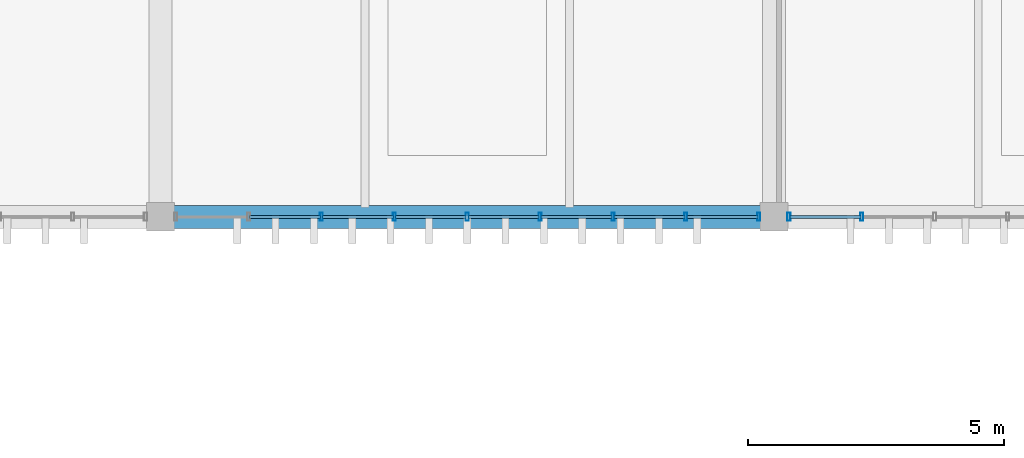
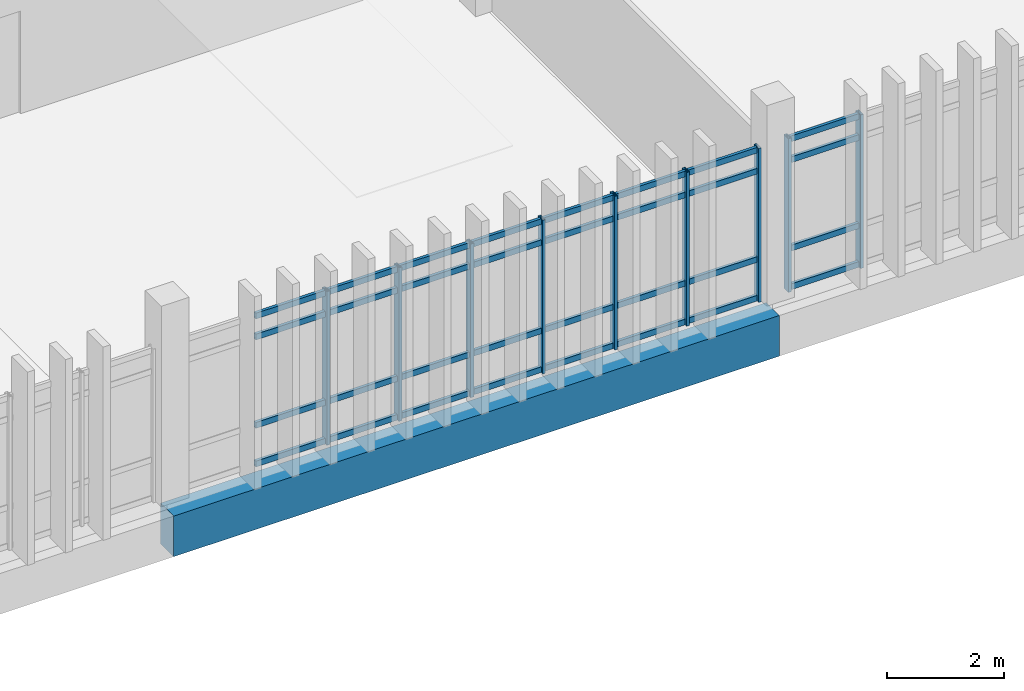
# One storey, part 3 of 29: 41 members, 1 beam, 2 elements without a shape of their own.
"""IFC4 building model written with IfcOpenShell, lengths in metres."""

import ifcopenshell
import ifcopenshell.guid

model = None  # the IFC model being written
_history = None  # IfcOwnerHistory: only IFC2X3 demands one
_inside = {}  # id of a spatial element -> (the spatial element, [elements in it])
_under = {}  # id of a project, library or spatial element -> (it, [spatial elements below it])
_declared = {}  # id of a project -> (the project, [libraries it declares])
_typed = {}  # id of a type object -> (the type object, [elements of that type])
_made_of = {}  # id of a material, layer set ... -> (it, [elements and type objects made of it])


def new_model(schema):
    """Start an empty IFC model of exactly this schema.

    Asked for "IFC4X3", IfcOpenShell would pick the latest addendum, in which some entities
    have other attributes; the version numbers below select the first issue.
    IFC2X3 requires an IfcOwnerHistory on every rooted entity: one is made here for all.
    """
    global model, _history
    if schema == "IFC4X3":
        model = ifcopenshell.file(schema_version=(4, 3, 0, 0))
    else:
        model = ifcopenshell.file(schema=schema)
    _inside.clear()
    _under.clear()
    _declared.clear()
    _typed.clear()
    _made_of.clear()
    _history = None
    if model.schema == "IFC2X3":
        org = make("IfcOrganization", Name="unknown")
        user = make(
            "IfcPersonAndOrganization",
            ThePerson=make("IfcPerson", FamilyName="unknown"),
            TheOrganization=org,
        )
        app = make(
            "IfcApplication",
            ApplicationDeveloper=org,
            Version="unknown",
            ApplicationFullName="unknown",
            ApplicationIdentifier="unknown",
        )
        _history = make(
            "IfcOwnerHistory",
            OwningUser=user,
            OwningApplication=app,
            ChangeAction="ADDED",
            CreationDate=0,
        )
    return model


def make(cls, **values):
    """One entity of the class cls with the attributes given. An attribute that is None is left unset."""
    return model.create_entity(
        cls, **{name: value for name, value in values.items() if value is not None}
    )


def rooted(cls, **values):
    """An entity with a GlobalId (a new one), such as an element, a storey or a relation."""
    return make(cls, GlobalId=ifcopenshell.guid.new(), OwnerHistory=_history, **values)


def si_unit(unit_type, name, prefix=None):
    """IfcSIUnit, for example si_unit("LENGTHUNIT", "METRE", prefix="MILLI")."""
    return make("IfcSIUnit", UnitType=unit_type, Prefix=prefix, Name=name)


def assignment(units):
    """IfcUnitAssignment: the units of a project."""
    return None if units is None else make("IfcUnitAssignment", Units=units)


def point(xyz):
    """IfcCartesianPoint."""
    return None if xyz is None else make("IfcCartesianPoint", Coordinates=xyz)


def direction(xyz):
    """IfcDirection."""
    return None if xyz is None else make("IfcDirection", DirectionRatios=xyz)


def frame(location, z_axis=None, x_axis=None):
    """IfcAxis2Placement3D, a coordinate frame: its origin and axes. An axis left out is left unset."""
    return make(
        "IfcAxis2Placement3D",
        Location=point(location),
        Axis=direction(z_axis),
        RefDirection=direction(x_axis),
    )


def frame_2d(location, x_axis=None):
    """IfcAxis2Placement2D, a coordinate frame in the plane: its origin and x axis."""
    return make(
        "IfcAxis2Placement2D", Location=point(location), RefDirection=direction(x_axis)
    )


def origin():
    """The frame at (0, 0, 0) with its axes left unset."""
    return frame((0.0, 0.0, 0.0))


def origin_2d():
    """The frame at (0, 0) in the plane with its x axis left unset."""
    return frame_2d((0.0, 0.0))


def place(relative_to, where):
    """IfcLocalPlacement: puts the frame where relative to a parent placement (None: the world)."""
    return make(
        "IfcLocalPlacement", PlacementRelTo=relative_to, RelativePlacement=where
    )


def context(
    kind, dimensions, precision=None, world=None, true_north=None, identifier=None
):
    """IfcGeometricRepresentationContext, for example the 3D "Model" context."""
    return make(
        "IfcGeometricRepresentationContext",
        ContextIdentifier=identifier,
        ContextType=kind,
        CoordinateSpaceDimension=dimensions,
        Precision=precision,
        WorldCoordinateSystem=world,
        TrueNorth=true_north,
    )


def subcontext(parent, identifier, kind, view, scale=None):
    """IfcGeometricRepresentationSubContext, for example "Body" below "Model"."""
    return make(
        "IfcGeometricRepresentationSubContext",
        ContextIdentifier=identifier,
        ContextType=kind,
        ParentContext=parent,
        TargetScale=scale,
        TargetView=view,
    )


def project(units=None, contexts=None):
    """IfcProject with its units and contexts."""
    return rooted(
        "IfcProject",
        Name="project",
        RepresentationContexts=contexts,
        UnitsInContext=assignment(units),
    )


def spatial(cls, under=None, at=None, **own):
    """A site, building, storey or space (cls), placed at a placement, below another one or the project."""
    s = rooted(cls, ObjectPlacement=at, **own)
    if under is not None:
        _under.setdefault(under.id(), (under, []))[1].append(s)
    return s


def profile(cls, at=None, kind="AREA", **sizes):
    """A parametric profile (cls). Its sizes go by their IFC names, for example OverallWidth=200.0."""
    return make(cls, ProfileType=kind, Position=at, **sizes)


def rectangle(**sizes):
    """IfcRectangleProfileDef."""
    return profile("IfcRectangleProfileDef", **sizes)


def hollow_rectangle(**sizes):
    """IfcRectangleHollowProfileDef."""
    return profile("IfcRectangleHollowProfileDef", **sizes)


def extrude(swept, where, along, depth):
    """IfcExtrudedAreaSolid: the profile swept, set in the frame where, extruded along a direction by depth."""
    return make(
        "IfcExtrudedAreaSolid",
        SweptArea=swept,
        Position=where,
        ExtrudedDirection=direction(along),
        Depth=depth,
    )


def shape(context_of_items, identifier, shape_type, items):
    """IfcShapeRepresentation: the items that make up one representation, for example the "Body"."""
    return make(
        "IfcShapeRepresentation",
        ContextOfItems=context_of_items,
        RepresentationIdentifier=identifier,
        RepresentationType=shape_type,
        Items=items,
    )


def material(Name=None, Category=None):
    """IfcMaterial."""
    return make("IfcMaterial", Name=Name, Category=Category)


def layer(
    of_material, thickness, ventilated=None, Name=None, Category=None, Priority=None
):
    """IfcMaterialLayer: one layer of a wall or slab, of a material (None: an air gap)."""
    return make(
        "IfcMaterialLayer",
        Material=of_material,
        LayerThickness=thickness,
        IsVentilated=ventilated,
        Name=Name,
        Category=Category,
        Priority=Priority,
    )


def layer_set(layers, Name=None):
    """IfcMaterialLayerSet."""
    return make("IfcMaterialLayerSet", MaterialLayers=layers, LayerSetName=Name)


def material_profile(
    of_material, cross_section, Name=None, Category=None, Priority=None
):
    """IfcMaterialProfile: a cross section and its material."""
    return make(
        "IfcMaterialProfile",
        Name=Name,
        Material=of_material,
        Profile=cross_section,
        Priority=Priority,
        Category=Category,
    )


def profile_set(profiles, Name=None, composite=None):
    """IfcMaterialProfileSet."""
    return make(
        "IfcMaterialProfileSet",
        Name=Name,
        MaterialProfiles=profiles,
        CompositeProfile=composite,
    )


def made_of(thing, what):
    """Note that an element or type object is made of a material, layer set ...; save() writes the relation."""
    if what is not None:
        _made_of.setdefault(what.id(), (what, []))[1].append(thing)
    return thing


def type_object(cls, material=None, **own):
    """A type object (cls), such as IfcWallType, which elements share."""
    return made_of(rooted(cls, **own), material)


def element(
    cls,
    number,
    at=None,
    inside=None,
    cuts=None,
    type_object=None,
    material=None,
    context=None,
    identifier="Body",
    shape_type=None,
    held_by="IfcProductDefinitionShape",
    body=None,
    shapes=None,
    **own,
):
    """One element of the class cls, such as IfcWall. Its Tag is "e" and its number.

    at: its placement. inside: the storey or other place that contains it. cuts: it is an
    opening in that element (IfcRelVoidsElement). A single representation is given by context,
    identifier, shape_type and body (its items); several are given by shapes. held_by: the class
    of the entity that holds the representations. save() writes the other relations.
    """
    e = rooted(cls, Tag="e%d" % number, ObjectPlacement=at, **own)
    if body is not None:
        shapes = [shape(context, identifier, shape_type, body)]
    if shapes is not None:
        e.Representation = make(held_by, Representations=shapes)
    if inside is not None:
        _inside.setdefault(inside.id(), (inside, []))[1].append(e)
    if cuts is not None:
        rooted(
            "IfcRelVoidsElement", RelatingBuildingElement=cuts, RelatedOpeningElement=e
        )
    if type_object is not None:
        _typed.setdefault(type_object.id(), (type_object, []))[1].append(e)
    return made_of(e, material)


def aggregate(whole, parts):
    """IfcRelAggregates: a whole, such as a stair, and the parts it consists of."""
    return rooted("IfcRelAggregates", RelatingObject=whole, RelatedObjects=parts)


def save(model, path):
    """Write the relations noted so far, then the file.

    IfcRelAggregates (storeys below a building ...), IfcRelContainedInSpatialStructure (elements
    in a storey), IfcRelDefinesByType, IfcRelAssociatesMaterial and IfcRelDeclares: one each for
    every whole, place, type object, material and project.
    """
    for whole, parts in _under.values():
        aggregate(whole, parts)
    for where, things in _inside.values():
        rooted(
            "IfcRelContainedInSpatialStructure",
            RelatedElements=things,
            RelatingStructure=where,
        )
    for kind, things in _typed.values():
        rooted("IfcRelDefinesByType", RelatedObjects=things, RelatingType=kind)
    for what, things in _made_of.values():
        rooted("IfcRelAssociatesMaterial", RelatedObjects=things, RelatingMaterial=what)
    for by, libraries in _declared.values():
        rooted("IfcRelDeclares", RelatingContext=by, RelatedDefinitions=libraries)
    model.write(path)


model = new_model("IFC4")

# Units and contexts
model_context = context("Model", 3, precision=1e-05, world=origin(), true_north=direction((0.0, 1.0)))
body_context = subcontext(model_context, "Body", "Model", "MODEL_VIEW")
ifc_project = project(units=[si_unit("LENGTHUNIT", "METRE"), si_unit("AREAUNIT", "SQUARE_METRE"), si_unit("VOLUMEUNIT", "CUBIC_METRE"), si_unit("PLANEANGLEUNIT", "RADIAN"), si_unit("MASSUNIT", "GRAM", prefix="KILO")], contexts=[model_context])

# Site, building, storey
site_placement = place(None, origin())
site = spatial("IfcSite", under=ifc_project, at=site_placement, CompositionType="ELEMENT")
building_placement = place(site_placement, origin())
building = spatial("IfcBuilding", under=site, at=building_placement, Name="Mersad Railyard Sports Hall", CompositionType="ELEMENT")
storey_placement = place(building_placement, frame((0.0, 0.0, 17.39990234375)))
storey = spatial("IfcBuildingStorey", under=building, at=storey_placement, Name="L04", CompositionType="ELEMENT", Elevation=17.39990234375)

# Curtain wall, members
ifc_material_1 = material(Name="Aluminium 6063-T6", Category="aluminium")
ifc_layer = layer(ifc_material_1, 0.159912109375)
ifc_layer_set = layer_set([ifc_layer], Name="Aluminium 6063-T6")
curtain_wall_type = type_object("IfcCurtainWallType", Name="ARC-CW-CW64", PredefinedType="USERDEFINED", material=ifc_layer_set)
curtain_wall_1_placement = place(storey_placement, origin())
curtain_wall_1 = element("IfcCurtainWall", 1, at=curtain_wall_1_placement, inside=storey, type_object=curtain_wall_type, Name="Curtain wall CW64-0166", ObjectType="CURTAIN WALL", PredefinedType="USERDEFINED")
ifc_material_profile_1 = material_profile(ifc_material_1, hollow_rectangle(XDim=0.06005859375, YDim=0.159912109375, WallThickness=0.00390625, at=origin_2d()), Name="AL MULLION 60x160x4")
ifc_profile_set_1 = profile_set([ifc_material_profile_1], Name="Aluminium 6063-T6")
member_type_1 = type_object("IfcMemberType", Name="ARC-CW-MUL01", PredefinedType="MULLION", material=ifc_profile_set_1)
member_1_placement = place(storey_placement, frame((78.705078125, 85.0, -0.02001953125), z_axis=(0.0, 0.0, 1.0), x_axis=(1.0, 0.0, 0.0)))
member_1 = element("IfcMember", 2, at=member_1_placement, type_object=member_type_1, Name="CW64 Mullion 1", PredefinedType="MULLION", context=body_context, shape_type="SweptSolid", body=[
    extrude(hollow_rectangle(XDim=0.06005859375, YDim=0.159912109375, WallThickness=0.00390625, at=origin_2d()), origin(), (0.0, 0.0, 1.0), 3.22021484375),
])
member_2_placement = place(storey_placement, frame((77.27880859375, 85.0, -0.02001953125), z_axis=(0.0, 0.0, 1.0), x_axis=(1.0, 0.0, 0.0)))
member_2 = element("IfcMember", 3, at=member_2_placement, type_object=member_type_1, Name="CW64 Mullion 2", PredefinedType="MULLION", context=body_context, shape_type="SweptSolid", body=[
    extrude(hollow_rectangle(XDim=0.06005859375, YDim=0.159912109375, WallThickness=0.00390625, at=origin_2d()), origin(), (0.0, 0.0, 1.0), 3.22021484375),
])
member_3_placement = place(storey_placement, frame((75.8525390625, 85.0, -0.02001953125), z_axis=(0.0, 0.0, 1.0), x_axis=(1.0, 0.0, 0.0)))
member_3 = element("IfcMember", 4, at=member_3_placement, type_object=member_type_1, Name="CW64 Mullion 3", PredefinedType="MULLION", context=body_context, shape_type="SweptSolid", body=[
    extrude(hollow_rectangle(XDim=0.06005859375, YDim=0.159912109375, WallThickness=0.00390625, at=origin_2d()), origin(), (0.0, 0.0, 1.0), 3.22021484375),
])
member_4_placement = place(storey_placement, frame((74.42626953125, 85.0, -0.02001953125), z_axis=(0.0, 0.0, 1.0), x_axis=(1.0, 0.0, 0.0)))
member_4 = element("IfcMember", 5, at=member_4_placement, type_object=member_type_1, Name="CW64 Mullion 4", PredefinedType="MULLION", context=body_context, shape_type="SweptSolid", body=[
    extrude(hollow_rectangle(XDim=0.06005859375, YDim=0.159912109375, WallThickness=0.00390625, at=origin_2d()), origin(), (0.0, 0.0, 1.0), 3.22021484375),
])
member_5_placement = place(storey_placement, frame((73.0, 85.0, -0.02001953125), z_axis=(0.0, 0.0, 1.0), x_axis=(1.0, 0.0, 0.0)))
member_5 = element("IfcMember", 6, at=member_5_placement, type_object=member_type_1, Name="CW64 Mullion 5", PredefinedType="MULLION", context=body_context, shape_type="SweptSolid", body=[
    extrude(hollow_rectangle(XDim=0.06005859375, YDim=0.159912109375, WallThickness=0.00390625, at=origin_2d()), origin(), (0.0, 0.0, 1.0), 3.22021484375),
])
member_6_placement = place(storey_placement, frame((71.57373046875, 85.0, -0.02001953125), z_axis=(0.0, 0.0, 1.0), x_axis=(1.0, 0.0, 0.0)))
member_6 = element("IfcMember", 7, at=member_6_placement, type_object=member_type_1, Name="CW64 Mullion 6", PredefinedType="MULLION", context=body_context, shape_type="SweptSolid", body=[
    extrude(hollow_rectangle(XDim=0.06005859375, YDim=0.159912109375, WallThickness=0.00390625, at=origin_2d()), origin(), (0.0, 0.0, 1.0), 3.22021484375),
])
member_7_placement = place(storey_placement, frame((70.1474609375, 85.0, -0.02001953125), z_axis=(0.0, 0.0, 1.0), x_axis=(1.0, 0.0, 0.0)))
member_7 = element("IfcMember", 8, at=member_7_placement, type_object=member_type_1, Name="CW64 Mullion 7", PredefinedType="MULLION", context=body_context, shape_type="SweptSolid", body=[
    extrude(hollow_rectangle(XDim=0.06005859375, YDim=0.159912109375, WallThickness=0.00390625, at=origin_2d()), origin(), (0.0, 0.0, 1.0), 3.22021484375),
])

curtain_wall_2_placement = place(storey_placement, origin())
curtain_wall_2 = element("IfcCurtainWall", 9, at=curtain_wall_2_placement, inside=storey, type_object=curtain_wall_type, Name="Curtain wall CW64-0167", ObjectType="CURTAIN WALL", PredefinedType="USERDEFINED")
member_8_placement = place(storey_placement, frame((80.72119140625, 85.0, -0.02001953125), z_axis=(0.0, 0.0, 1.0), x_axis=(1.0, 0.0, 0.0)))
member_8 = element("IfcMember", 10, at=member_8_placement, type_object=member_type_1, Name="CW64 Mullion 8", PredefinedType="MULLION", context=body_context, shape_type="SweptSolid", body=[
    extrude(hollow_rectangle(XDim=0.06005859375, YDim=0.159912109375, WallThickness=0.00390625, at=origin_2d()), origin(), (0.0, 0.0, 1.0), 3.22021484375),
])
member_9_placement = place(storey_placement, frame((79.294921875, 85.0, -0.02001953125), z_axis=(0.0, 0.0, 1.0), x_axis=(1.0, 0.0, 0.0)))
member_9 = element("IfcMember", 11, at=member_9_placement, type_object=member_type_1, Name="CW64 Mullion 9", PredefinedType="MULLION", context=body_context, shape_type="SweptSolid", body=[
    extrude(hollow_rectangle(XDim=0.06005859375, YDim=0.159912109375, WallThickness=0.00390625, at=origin_2d()), origin(), (0.0, 0.0, 1.0), 3.22021484375),
])

# Member
ifc_material_profile_2 = material_profile(ifc_material_1, hollow_rectangle(XDim=0.06005859375, YDim=0.1201171875, WallThickness=0.00390625, at=origin_2d()), Name="AL TRANSOM 60x120x4")
ifc_profile_set_2 = profile_set([ifc_material_profile_2], Name="Aluminium 6063-T6")
member_type_2 = type_object("IfcMemberType", Name="ARC-CW-TRN01", PredefinedType="USERDEFINED", material=ifc_profile_set_2)
member_10_placement = place(storey_placement, frame((78.68505859375, 85.0, 0.0400390625), z_axis=(-1.0, 0.0, 0.0), x_axis=(0.0, -1.0, 0.0)))
member_10 = element("IfcMember", 12, at=member_10_placement, type_object=member_type_2, Name="CW64 Transom 1-1", ObjectType="TRANSOM", PredefinedType="USERDEFINED", context=body_context, shape_type="SweptSolid", body=[
    extrude(hollow_rectangle(XDim=0.06005859375, YDim=0.1201171875, WallThickness=0.00390625, at=origin_2d()), origin(), (0.0, 0.0, 1.0), 1.38623046875),
])

member_11_placement = place(storey_placement, frame((77.2587890625, 85.0, 0.0400390625), z_axis=(-1.0, 0.0, 0.0), x_axis=(0.0, -1.0, 0.0)))
member_11 = element("IfcMember", 13, at=member_11_placement, type_object=member_type_2, Name="CW64 Transom 1-2", ObjectType="TRANSOM", PredefinedType="USERDEFINED", context=body_context, shape_type="SweptSolid", body=[
    extrude(hollow_rectangle(XDim=0.06005859375, YDim=0.1201171875, WallThickness=0.00390625, at=origin_2d()), origin(), (0.0, 0.0, 1.0), 1.38623046875),
])

member_12_placement = place(storey_placement, frame((75.83251953125, 85.0, 0.0400390625), z_axis=(-1.0, 0.0, 0.0), x_axis=(0.0, -1.0, 0.0)))
member_12 = element("IfcMember", 14, at=member_12_placement, type_object=member_type_2, Name="CW64 Transom 1-3", ObjectType="TRANSOM", PredefinedType="USERDEFINED", context=body_context, shape_type="SweptSolid", body=[
    extrude(hollow_rectangle(XDim=0.06005859375, YDim=0.1201171875, WallThickness=0.00390625, at=origin_2d()), origin(), (0.0, 0.0, 1.0), 1.38623046875),
])

member_13_placement = place(storey_placement, frame((74.40625, 85.0, 0.0400390625), z_axis=(-1.0, 0.0, 0.0), x_axis=(0.0, -1.0, 0.0)))
member_13 = element("IfcMember", 15, at=member_13_placement, type_object=member_type_2, Name="CW64 Transom 1-4", ObjectType="TRANSOM", PredefinedType="USERDEFINED", context=body_context, shape_type="SweptSolid", body=[
    extrude(hollow_rectangle(XDim=0.06005859375, YDim=0.1201171875, WallThickness=0.00390625, at=origin_2d()), origin(), (0.0, 0.0, 1.0), 1.38623046875),
])

member_14_placement = place(storey_placement, frame((72.97998046875, 85.0, 0.0400390625), z_axis=(-1.0, 0.0, 0.0), x_axis=(0.0, -1.0, 0.0)))
member_14 = element("IfcMember", 16, at=member_14_placement, type_object=member_type_2, Name="CW64 Transom 1-5", ObjectType="TRANSOM", PredefinedType="USERDEFINED", context=body_context, shape_type="SweptSolid", body=[
    extrude(hollow_rectangle(XDim=0.06005859375, YDim=0.1201171875, WallThickness=0.00390625, at=origin_2d()), origin(), (0.0, 0.0, 1.0), 1.38623046875),
])

member_15_placement = place(storey_placement, frame((71.5537109375, 85.0, 0.0400390625), z_axis=(-1.0, 0.0, 0.0), x_axis=(0.0, -1.0, 0.0)))
member_15 = element("IfcMember", 17, at=member_15_placement, type_object=member_type_2, Name="CW64 Transom 1-6", ObjectType="TRANSOM", PredefinedType="USERDEFINED", context=body_context, shape_type="SweptSolid", body=[
    extrude(hollow_rectangle(XDim=0.06005859375, YDim=0.1201171875, WallThickness=0.00390625, at=origin_2d()), origin(), (0.0, 0.0, 1.0), 1.38623046875),
])

member_16_placement = place(storey_placement, frame((70.12744140625, 85.0, 0.0400390625), z_axis=(-1.0, 0.0, 0.0), x_axis=(0.0, -1.0, 0.0)))
member_16 = element("IfcMember", 18, at=member_16_placement, type_object=member_type_2, Name="CW64 Transom 1-7", ObjectType="TRANSOM", PredefinedType="USERDEFINED", context=body_context, shape_type="SweptSolid", body=[
    extrude(hollow_rectangle(XDim=0.06005859375, YDim=0.1201171875, WallThickness=0.00390625, at=origin_2d()), origin(), (0.0, 0.0, 1.0), 1.38623046875),
])

member_17_placement = place(storey_placement, frame((78.68505859375, 85.0, 0.85009765625), z_axis=(-1.0, 0.0, 0.0), x_axis=(0.0, -1.0, 0.0)))
member_17 = element("IfcMember", 19, at=member_17_placement, type_object=member_type_2, Name="CW64 Transom 2-1", ObjectType="TRANSOM", PredefinedType="USERDEFINED", context=body_context, shape_type="SweptSolid", body=[
    extrude(hollow_rectangle(XDim=0.06005859375, YDim=0.1201171875, WallThickness=0.00390625, at=origin_2d()), origin(), (0.0, 0.0, 1.0), 1.38623046875),
])

member_18_placement = place(storey_placement, frame((77.2587890625, 85.0, 0.85009765625), z_axis=(-1.0, 0.0, 0.0), x_axis=(0.0, -1.0, 0.0)))
member_18 = element("IfcMember", 20, at=member_18_placement, type_object=member_type_2, Name="CW64 Transom 2-2", ObjectType="TRANSOM", PredefinedType="USERDEFINED", context=body_context, shape_type="SweptSolid", body=[
    extrude(hollow_rectangle(XDim=0.06005859375, YDim=0.1201171875, WallThickness=0.00390625, at=origin_2d()), origin(), (0.0, 0.0, 1.0), 1.38623046875),
])

member_19_placement = place(storey_placement, frame((75.83251953125, 85.0, 0.85009765625), z_axis=(-1.0, 0.0, 0.0), x_axis=(0.0, -1.0, 0.0)))
member_19 = element("IfcMember", 21, at=member_19_placement, type_object=member_type_2, Name="CW64 Transom 2-3", ObjectType="TRANSOM", PredefinedType="USERDEFINED", context=body_context, shape_type="SweptSolid", body=[
    extrude(hollow_rectangle(XDim=0.06005859375, YDim=0.1201171875, WallThickness=0.00390625, at=origin_2d()), origin(), (0.0, 0.0, 1.0), 1.38623046875),
])

member_20_placement = place(storey_placement, frame((74.40625, 85.0, 0.85009765625), z_axis=(-1.0, 0.0, 0.0), x_axis=(0.0, -1.0, 0.0)))
member_20 = element("IfcMember", 22, at=member_20_placement, type_object=member_type_2, Name="CW64 Transom 2-4", ObjectType="TRANSOM", PredefinedType="USERDEFINED", context=body_context, shape_type="SweptSolid", body=[
    extrude(hollow_rectangle(XDim=0.06005859375, YDim=0.1201171875, WallThickness=0.00390625, at=origin_2d()), origin(), (0.0, 0.0, 1.0), 1.38623046875),
])

member_21_placement = place(storey_placement, frame((72.97998046875, 85.0, 0.85009765625), z_axis=(-1.0, 0.0, 0.0), x_axis=(0.0, -1.0, 0.0)))
member_21 = element("IfcMember", 23, at=member_21_placement, type_object=member_type_2, Name="CW64 Transom 2-5", ObjectType="TRANSOM", PredefinedType="USERDEFINED", context=body_context, shape_type="SweptSolid", body=[
    extrude(hollow_rectangle(XDim=0.06005859375, YDim=0.1201171875, WallThickness=0.00390625, at=origin_2d()), origin(), (0.0, 0.0, 1.0), 1.38623046875),
])

member_22_placement = place(storey_placement, frame((71.5537109375, 85.0, 0.85009765625), z_axis=(-1.0, 0.0, 0.0), x_axis=(0.0, -1.0, 0.0)))
member_22 = element("IfcMember", 24, at=member_22_placement, type_object=member_type_2, Name="CW64 Transom 2-6", ObjectType="TRANSOM", PredefinedType="USERDEFINED", context=body_context, shape_type="SweptSolid", body=[
    extrude(hollow_rectangle(XDim=0.06005859375, YDim=0.1201171875, WallThickness=0.00390625, at=origin_2d()), origin(), (0.0, 0.0, 1.0), 1.38623046875),
])

member_23_placement = place(storey_placement, frame((70.12744140625, 85.0, 0.85009765625), z_axis=(-1.0, 0.0, 0.0), x_axis=(0.0, -1.0, 0.0)))
member_23 = element("IfcMember", 25, at=member_23_placement, type_object=member_type_2, Name="CW64 Transom 2-7", ObjectType="TRANSOM", PredefinedType="USERDEFINED", context=body_context, shape_type="SweptSolid", body=[
    extrude(hollow_rectangle(XDim=0.06005859375, YDim=0.1201171875, WallThickness=0.00390625, at=origin_2d()), origin(), (0.0, 0.0, 1.0), 1.38623046875),
])

member_24_placement = place(storey_placement, frame((78.68505859375, 85.0, 2.7001953125), z_axis=(-1.0, 0.0, 0.0), x_axis=(0.0, -1.0, 0.0)))
member_24 = element("IfcMember", 26, at=member_24_placement, type_object=member_type_2, Name="CW64 Transom 3-1", ObjectType="TRANSOM", PredefinedType="USERDEFINED", context=body_context, shape_type="SweptSolid", body=[
    extrude(hollow_rectangle(XDim=0.06005859375, YDim=0.1201171875, WallThickness=0.00390625, at=origin_2d()), origin(), (0.0, 0.0, 1.0), 1.38623046875),
])

member_25_placement = place(storey_placement, frame((77.2587890625, 85.0, 2.7001953125), z_axis=(-1.0, 0.0, 0.0), x_axis=(0.0, -1.0, 0.0)))
member_25 = element("IfcMember", 27, at=member_25_placement, type_object=member_type_2, Name="CW64 Transom 3-2", ObjectType="TRANSOM", PredefinedType="USERDEFINED", context=body_context, shape_type="SweptSolid", body=[
    extrude(hollow_rectangle(XDim=0.06005859375, YDim=0.1201171875, WallThickness=0.00390625, at=origin_2d()), origin(), (0.0, 0.0, 1.0), 1.38623046875),
])

member_26_placement = place(storey_placement, frame((75.83251953125, 85.0, 2.7001953125), z_axis=(-1.0, 0.0, 0.0), x_axis=(0.0, -1.0, 0.0)))
member_26 = element("IfcMember", 28, at=member_26_placement, type_object=member_type_2, Name="CW64 Transom 3-3", ObjectType="TRANSOM", PredefinedType="USERDEFINED", context=body_context, shape_type="SweptSolid", body=[
    extrude(hollow_rectangle(XDim=0.06005859375, YDim=0.1201171875, WallThickness=0.00390625, at=origin_2d()), origin(), (0.0, 0.0, 1.0), 1.38623046875),
])

member_27_placement = place(storey_placement, frame((74.40625, 85.0, 2.7001953125), z_axis=(-1.0, 0.0, 0.0), x_axis=(0.0, -1.0, 0.0)))
member_27 = element("IfcMember", 29, at=member_27_placement, type_object=member_type_2, Name="CW64 Transom 3-4", ObjectType="TRANSOM", PredefinedType="USERDEFINED", context=body_context, shape_type="SweptSolid", body=[
    extrude(hollow_rectangle(XDim=0.06005859375, YDim=0.1201171875, WallThickness=0.00390625, at=origin_2d()), origin(), (0.0, 0.0, 1.0), 1.38623046875),
])

member_28_placement = place(storey_placement, frame((72.97998046875, 85.0, 2.7001953125), z_axis=(-1.0, 0.0, 0.0), x_axis=(0.0, -1.0, 0.0)))
member_28 = element("IfcMember", 30, at=member_28_placement, type_object=member_type_2, Name="CW64 Transom 3-5", ObjectType="TRANSOM", PredefinedType="USERDEFINED", context=body_context, shape_type="SweptSolid", body=[
    extrude(hollow_rectangle(XDim=0.06005859375, YDim=0.1201171875, WallThickness=0.00390625, at=origin_2d()), origin(), (0.0, 0.0, 1.0), 1.38623046875),
])

member_29_placement = place(storey_placement, frame((71.5537109375, 85.0, 2.7001953125), z_axis=(-1.0, 0.0, 0.0), x_axis=(0.0, -1.0, 0.0)))
member_29 = element("IfcMember", 31, at=member_29_placement, type_object=member_type_2, Name="CW64 Transom 3-6", ObjectType="TRANSOM", PredefinedType="USERDEFINED", context=body_context, shape_type="SweptSolid", body=[
    extrude(hollow_rectangle(XDim=0.06005859375, YDim=0.1201171875, WallThickness=0.00390625, at=origin_2d()), origin(), (0.0, 0.0, 1.0), 1.38623046875),
])

member_30_placement = place(storey_placement, frame((70.12744140625, 85.0, 2.7001953125), z_axis=(-1.0, 0.0, 0.0), x_axis=(0.0, -1.0, 0.0)))
member_30 = element("IfcMember", 32, at=member_30_placement, type_object=member_type_2, Name="CW64 Transom 3-7", ObjectType="TRANSOM", PredefinedType="USERDEFINED", context=body_context, shape_type="SweptSolid", body=[
    extrude(hollow_rectangle(XDim=0.06005859375, YDim=0.1201171875, WallThickness=0.00390625, at=origin_2d()), origin(), (0.0, 0.0, 1.0), 1.38623046875),
])

member_31_placement = place(storey_placement, frame((78.68505859375, 85.0, 3.14013671875), z_axis=(-1.0, 0.0, 0.0), x_axis=(0.0, -1.0, 0.0)))
member_31 = element("IfcMember", 33, at=member_31_placement, type_object=member_type_2, Name="CW64 Transom 4-1", ObjectType="TRANSOM", PredefinedType="USERDEFINED", context=body_context, shape_type="SweptSolid", body=[
    extrude(hollow_rectangle(XDim=0.06005859375, YDim=0.1201171875, WallThickness=0.00390625, at=origin_2d()), origin(), (0.0, 0.0, 1.0), 1.38623046875),
])

member_32_placement = place(storey_placement, frame((77.2587890625, 85.0, 3.14013671875), z_axis=(-1.0, 0.0, 0.0), x_axis=(0.0, -1.0, 0.0)))
member_32 = element("IfcMember", 34, at=member_32_placement, type_object=member_type_2, Name="CW64 Transom 4-2", ObjectType="TRANSOM", PredefinedType="USERDEFINED", context=body_context, shape_type="SweptSolid", body=[
    extrude(hollow_rectangle(XDim=0.06005859375, YDim=0.1201171875, WallThickness=0.00390625, at=origin_2d()), origin(), (0.0, 0.0, 1.0), 1.38623046875),
])

member_33_placement = place(storey_placement, frame((75.83251953125, 85.0, 3.14013671875), z_axis=(-1.0, 0.0, 0.0), x_axis=(0.0, -1.0, 0.0)))
member_33 = element("IfcMember", 35, at=member_33_placement, type_object=member_type_2, Name="CW64 Transom 4-3", ObjectType="TRANSOM", PredefinedType="USERDEFINED", context=body_context, shape_type="SweptSolid", body=[
    extrude(hollow_rectangle(XDim=0.06005859375, YDim=0.1201171875, WallThickness=0.00390625, at=origin_2d()), origin(), (0.0, 0.0, 1.0), 1.38623046875),
])

member_34_placement = place(storey_placement, frame((74.40625, 85.0, 3.14013671875), z_axis=(-1.0, 0.0, 0.0), x_axis=(0.0, -1.0, 0.0)))
member_34 = element("IfcMember", 36, at=member_34_placement, type_object=member_type_2, Name="CW64 Transom 4-4", ObjectType="TRANSOM", PredefinedType="USERDEFINED", context=body_context, shape_type="SweptSolid", body=[
    extrude(hollow_rectangle(XDim=0.06005859375, YDim=0.1201171875, WallThickness=0.00390625, at=origin_2d()), origin(), (0.0, 0.0, 1.0), 1.38623046875),
])

member_35_placement = place(storey_placement, frame((72.97998046875, 85.0, 3.14013671875), z_axis=(-1.0, 0.0, 0.0), x_axis=(0.0, -1.0, 0.0)))
member_35 = element("IfcMember", 37, at=member_35_placement, type_object=member_type_2, Name="CW64 Transom 4-5", ObjectType="TRANSOM", PredefinedType="USERDEFINED", context=body_context, shape_type="SweptSolid", body=[
    extrude(hollow_rectangle(XDim=0.06005859375, YDim=0.1201171875, WallThickness=0.00390625, at=origin_2d()), origin(), (0.0, 0.0, 1.0), 1.38623046875),
])

member_36_placement = place(storey_placement, frame((71.5537109375, 85.0, 3.14013671875), z_axis=(-1.0, 0.0, 0.0), x_axis=(0.0, -1.0, 0.0)))
member_36 = element("IfcMember", 38, at=member_36_placement, type_object=member_type_2, Name="CW64 Transom 4-6", ObjectType="TRANSOM", PredefinedType="USERDEFINED", context=body_context, shape_type="SweptSolid", body=[
    extrude(hollow_rectangle(XDim=0.06005859375, YDim=0.1201171875, WallThickness=0.00390625, at=origin_2d()), origin(), (0.0, 0.0, 1.0), 1.38623046875),
])

member_37_placement = place(storey_placement, frame((70.12744140625, 85.0, 3.14013671875), z_axis=(-1.0, 0.0, 0.0), x_axis=(0.0, -1.0, 0.0)))
member_37 = element("IfcMember", 39, at=member_37_placement, type_object=member_type_2, Name="CW64 Transom 4-7", ObjectType="TRANSOM", PredefinedType="USERDEFINED", context=body_context, shape_type="SweptSolid", body=[
    extrude(hollow_rectangle(XDim=0.06005859375, YDim=0.1201171875, WallThickness=0.00390625, at=origin_2d()), origin(), (0.0, 0.0, 1.0), 1.38623046875),
])

aggregate(curtain_wall_1, [member_1, member_2, member_3, member_4, member_5, member_6, member_7, member_10, member_11, member_12, member_13, member_14, member_15, member_16, member_17, member_18, member_19, member_20, member_21, member_22, member_23, member_24, member_25, member_26, member_27, member_28, member_29, member_30, member_31, member_32, member_33, member_34, member_35, member_36, member_37])

member_38_placement = place(storey_placement, frame((80.701171875, 85.0, 0.0400390625), z_axis=(-1.0, 0.0, 0.0), x_axis=(0.0, -1.0, 0.0)))
member_38 = element("IfcMember", 40, at=member_38_placement, type_object=member_type_2, Name="CW64 Transom 1-8", ObjectType="TRANSOM", PredefinedType="USERDEFINED", context=body_context, shape_type="SweptSolid", body=[
    extrude(hollow_rectangle(XDim=0.06005859375, YDim=0.1201171875, WallThickness=0.00390625, at=origin_2d()), origin(), (0.0, 0.0, 1.0), 1.38623046875),
])

member_39_placement = place(storey_placement, frame((80.701171875, 85.0, 0.85009765625), z_axis=(-1.0, 0.0, 0.0), x_axis=(0.0, -1.0, 0.0)))
member_39 = element("IfcMember", 41, at=member_39_placement, type_object=member_type_2, Name="CW64 Transom 2-8", ObjectType="TRANSOM", PredefinedType="USERDEFINED", context=body_context, shape_type="SweptSolid", body=[
    extrude(hollow_rectangle(XDim=0.06005859375, YDim=0.1201171875, WallThickness=0.00390625, at=origin_2d()), origin(), (0.0, 0.0, 1.0), 1.38623046875),
])

member_40_placement = place(storey_placement, frame((80.701171875, 85.0, 2.7001953125), z_axis=(-1.0, 0.0, 0.0), x_axis=(0.0, -1.0, 0.0)))
member_40 = element("IfcMember", 42, at=member_40_placement, type_object=member_type_2, Name="CW64 Transom 3-8", ObjectType="TRANSOM", PredefinedType="USERDEFINED", context=body_context, shape_type="SweptSolid", body=[
    extrude(hollow_rectangle(XDim=0.06005859375, YDim=0.1201171875, WallThickness=0.00390625, at=origin_2d()), origin(), (0.0, 0.0, 1.0), 1.38623046875),
])

member_41_placement = place(storey_placement, frame((80.701171875, 85.0, 3.14013671875), z_axis=(-1.0, 0.0, 0.0), x_axis=(0.0, -1.0, 0.0)))
member_41 = element("IfcMember", 43, at=member_41_placement, type_object=member_type_2, Name="CW64 Transom 4-8", ObjectType="TRANSOM", PredefinedType="USERDEFINED", context=body_context, shape_type="SweptSolid", body=[
    extrude(hollow_rectangle(XDim=0.06005859375, YDim=0.1201171875, WallThickness=0.00390625, at=origin_2d()), origin(), (0.0, 0.0, 1.0), 1.38623046875),
])

aggregate(curtain_wall_2, [member_8, member_9, member_38, member_39, member_40, member_41])

# Beam
ifc_material_2 = material(Name="Concrete C40/50", Category="concrete")
ifc_material_profile_3 = material_profile(ifc_material_2, rectangle(XDim=0.449951171875, YDim=0.85009765625, at=origin_2d()), Name="RC 450x850")
ifc_profile_set_3 = profile_set([ifc_material_profile_3], Name="Concrete C40/50")
beam_type = type_object("IfcBeamType", Name="STR-BM-B02", PredefinedType="BEAM", material=ifc_profile_set_3)
beam_placement = place(storey_placement, frame((67.0, 85.0, -0.744873046875), z_axis=(1.0, 0.0, 0.0), x_axis=(0.0, 1.0, 0.0)))
element("IfcBeam", 44, at=beam_placement, inside=storey, type_object=beam_type, Name="Beam B02-1315", PredefinedType="BEAM", context=body_context, shape_type="SweptSolid", body=[
    extrude(rectangle(XDim=0.449951171875, YDim=0.85009765625, at=origin_2d()), origin(), (0.0, 0.0, 1.0), 12.0),
])

save(model, "model.ifc")
